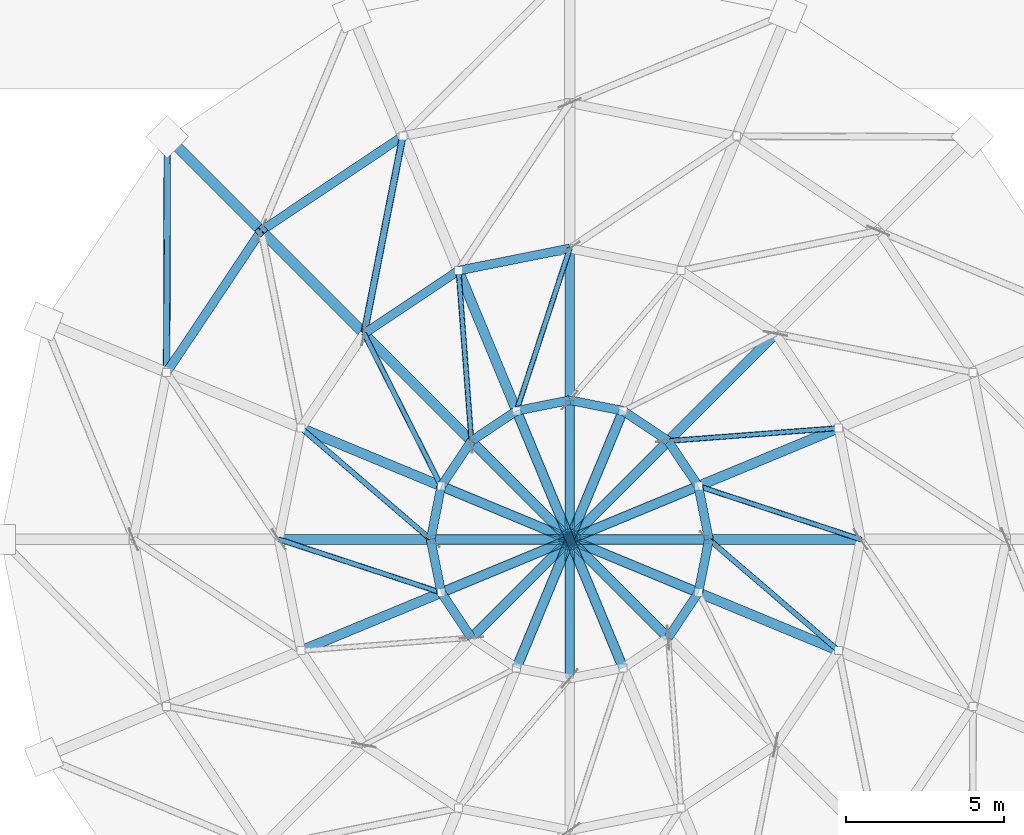
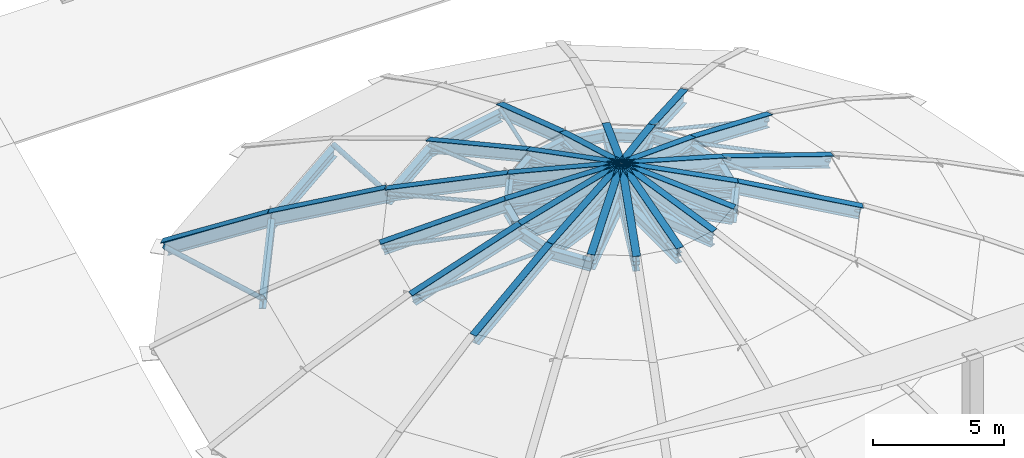
# One storey, part 2 of 7: 39 members, 24 beams.
"""IFC4 building model written with IfcOpenShell, lengths in metres."""

import ifcopenshell
import ifcopenshell.guid

model = None  # the IFC model being written
_history = None  # IfcOwnerHistory: only IFC2X3 demands one
_inside = {}  # id of a spatial element -> (the spatial element, [elements in it])
_under = {}  # id of a project, library or spatial element -> (it, [spatial elements below it])
_declared = {}  # id of a project -> (the project, [libraries it declares])
_typed = {}  # id of a type object -> (the type object, [elements of that type])
_made_of = {}  # id of a material, layer set ... -> (it, [elements and type objects made of it])


def new_model(schema):
    """Start an empty IFC model of exactly this schema.

    Asked for "IFC4X3", IfcOpenShell would pick the latest addendum, in which some entities
    have other attributes; the version numbers below select the first issue.
    IFC2X3 requires an IfcOwnerHistory on every rooted entity: one is made here for all.
    """
    global model, _history
    if schema == "IFC4X3":
        model = ifcopenshell.file(schema_version=(4, 3, 0, 0))
    else:
        model = ifcopenshell.file(schema=schema)
    _inside.clear()
    _under.clear()
    _declared.clear()
    _typed.clear()
    _made_of.clear()
    _history = None
    if model.schema == "IFC2X3":
        org = make("IfcOrganization", Name="unknown")
        user = make(
            "IfcPersonAndOrganization",
            ThePerson=make("IfcPerson", FamilyName="unknown"),
            TheOrganization=org,
        )
        app = make(
            "IfcApplication",
            ApplicationDeveloper=org,
            Version="unknown",
            ApplicationFullName="unknown",
            ApplicationIdentifier="unknown",
        )
        _history = make(
            "IfcOwnerHistory",
            OwningUser=user,
            OwningApplication=app,
            ChangeAction="ADDED",
            CreationDate=0,
        )
    return model


def make(cls, **values):
    """One entity of the class cls with the attributes given. An attribute that is None is left unset."""
    return model.create_entity(
        cls, **{name: value for name, value in values.items() if value is not None}
    )


def rooted(cls, **values):
    """An entity with a GlobalId (a new one), such as an element, a storey or a relation."""
    return make(cls, GlobalId=ifcopenshell.guid.new(), OwnerHistory=_history, **values)


def si_unit(unit_type, name, prefix=None):
    """IfcSIUnit, for example si_unit("LENGTHUNIT", "METRE", prefix="MILLI")."""
    return make("IfcSIUnit", UnitType=unit_type, Prefix=prefix, Name=name)


def assignment(units):
    """IfcUnitAssignment: the units of a project."""
    return None if units is None else make("IfcUnitAssignment", Units=units)


def point(xyz):
    """IfcCartesianPoint."""
    return None if xyz is None else make("IfcCartesianPoint", Coordinates=xyz)


def direction(xyz):
    """IfcDirection."""
    return None if xyz is None else make("IfcDirection", DirectionRatios=xyz)


def frame(location, z_axis=None, x_axis=None):
    """IfcAxis2Placement3D, a coordinate frame: its origin and axes. An axis left out is left unset."""
    return make(
        "IfcAxis2Placement3D",
        Location=point(location),
        Axis=direction(z_axis),
        RefDirection=direction(x_axis),
    )


def frame_2d(location, x_axis=None):
    """IfcAxis2Placement2D, a coordinate frame in the plane: its origin and x axis."""
    return make(
        "IfcAxis2Placement2D", Location=point(location), RefDirection=direction(x_axis)
    )


def origin():
    """The frame at (0, 0, 0) with its axes left unset."""
    return frame((0.0, 0.0, 0.0))


def origin_2d():
    """The frame at (0, 0) in the plane with its x axis left unset."""
    return frame_2d((0.0, 0.0))


def place(relative_to, where):
    """IfcLocalPlacement: puts the frame where relative to a parent placement (None: the world)."""
    return make(
        "IfcLocalPlacement", PlacementRelTo=relative_to, RelativePlacement=where
    )


def context(
    kind, dimensions, precision=None, world=None, true_north=None, identifier=None
):
    """IfcGeometricRepresentationContext, for example the 3D "Model" context."""
    return make(
        "IfcGeometricRepresentationContext",
        ContextIdentifier=identifier,
        ContextType=kind,
        CoordinateSpaceDimension=dimensions,
        Precision=precision,
        WorldCoordinateSystem=world,
        TrueNorth=true_north,
    )


def subcontext(parent, identifier, kind, view, scale=None):
    """IfcGeometricRepresentationSubContext, for example "Body" below "Model"."""
    return make(
        "IfcGeometricRepresentationSubContext",
        ContextIdentifier=identifier,
        ContextType=kind,
        ParentContext=parent,
        TargetScale=scale,
        TargetView=view,
    )


def project(units=None, contexts=None):
    """IfcProject with its units and contexts."""
    return rooted(
        "IfcProject",
        Name="project",
        RepresentationContexts=contexts,
        UnitsInContext=assignment(units),
    )


def spatial(cls, under=None, at=None, **own):
    """A site, building, storey or space (cls), placed at a placement, below another one or the project."""
    s = rooted(cls, ObjectPlacement=at, **own)
    if under is not None:
        _under.setdefault(under.id(), (under, []))[1].append(s)
    return s


def profile(cls, at=None, kind="AREA", **sizes):
    """A parametric profile (cls). Its sizes go by their IFC names, for example OverallWidth=200.0."""
    return make(cls, ProfileType=kind, Position=at, **sizes)


def hollow_rectangle(**sizes):
    """IfcRectangleHollowProfileDef."""
    return profile("IfcRectangleHollowProfileDef", **sizes)


def hollow_circle(**sizes):
    """IfcCircleHollowProfileDef."""
    return profile("IfcCircleHollowProfileDef", **sizes)


def i_section(**sizes):
    """IfcIShapeProfileDef."""
    return profile("IfcIShapeProfileDef", **sizes)


def extrude(swept, where, along, depth):
    """IfcExtrudedAreaSolid: the profile swept, set in the frame where, extruded along a direction by depth."""
    return make(
        "IfcExtrudedAreaSolid",
        SweptArea=swept,
        Position=where,
        ExtrudedDirection=direction(along),
        Depth=depth,
    )


def shape(context_of_items, identifier, shape_type, items):
    """IfcShapeRepresentation: the items that make up one representation, for example the "Body"."""
    return make(
        "IfcShapeRepresentation",
        ContextOfItems=context_of_items,
        RepresentationIdentifier=identifier,
        RepresentationType=shape_type,
        Items=items,
    )


def material(Name=None, Category=None):
    """IfcMaterial."""
    return make("IfcMaterial", Name=Name, Category=Category)


def material_profile(
    of_material, cross_section, Name=None, Category=None, Priority=None
):
    """IfcMaterialProfile: a cross section and its material."""
    return make(
        "IfcMaterialProfile",
        Name=Name,
        Material=of_material,
        Profile=cross_section,
        Priority=Priority,
        Category=Category,
    )


def profile_set(profiles, Name=None, composite=None):
    """IfcMaterialProfileSet."""
    return make(
        "IfcMaterialProfileSet",
        Name=Name,
        MaterialProfiles=profiles,
        CompositeProfile=composite,
    )


def made_of(thing, what):
    """Note that an element or type object is made of a material, layer set ...; save() writes the relation."""
    if what is not None:
        _made_of.setdefault(what.id(), (what, []))[1].append(thing)
    return thing


def type_object(cls, material=None, **own):
    """A type object (cls), such as IfcWallType, which elements share."""
    return made_of(rooted(cls, **own), material)


def element(
    cls,
    number,
    at=None,
    inside=None,
    cuts=None,
    type_object=None,
    material=None,
    context=None,
    identifier="Body",
    shape_type=None,
    held_by="IfcProductDefinitionShape",
    body=None,
    shapes=None,
    **own,
):
    """One element of the class cls, such as IfcWall. Its Tag is "e" and its number.

    at: its placement. inside: the storey or other place that contains it. cuts: it is an
    opening in that element (IfcRelVoidsElement). A single representation is given by context,
    identifier, shape_type and body (its items); several are given by shapes. held_by: the class
    of the entity that holds the representations. save() writes the other relations.
    """
    e = rooted(cls, Tag="e%d" % number, ObjectPlacement=at, **own)
    if body is not None:
        shapes = [shape(context, identifier, shape_type, body)]
    if shapes is not None:
        e.Representation = make(held_by, Representations=shapes)
    if inside is not None:
        _inside.setdefault(inside.id(), (inside, []))[1].append(e)
    if cuts is not None:
        rooted(
            "IfcRelVoidsElement", RelatingBuildingElement=cuts, RelatedOpeningElement=e
        )
    if type_object is not None:
        _typed.setdefault(type_object.id(), (type_object, []))[1].append(e)
    return made_of(e, material)


def aggregate(whole, parts):
    """IfcRelAggregates: a whole, such as a stair, and the parts it consists of."""
    return rooted("IfcRelAggregates", RelatingObject=whole, RelatedObjects=parts)


def save(model, path):
    """Write the relations noted so far, then the file.

    IfcRelAggregates (storeys below a building ...), IfcRelContainedInSpatialStructure (elements
    in a storey), IfcRelDefinesByType, IfcRelAssociatesMaterial and IfcRelDeclares: one each for
    every whole, place, type object, material and project.
    """
    for whole, parts in _under.values():
        aggregate(whole, parts)
    for where, things in _inside.values():
        rooted(
            "IfcRelContainedInSpatialStructure",
            RelatedElements=things,
            RelatingStructure=where,
        )
    for kind, things in _typed.values():
        rooted("IfcRelDefinesByType", RelatedObjects=things, RelatingType=kind)
    for what, things in _made_of.values():
        rooted("IfcRelAssociatesMaterial", RelatedObjects=things, RelatingMaterial=what)
    for by, libraries in _declared.values():
        rooted("IfcRelDeclares", RelatingContext=by, RelatedDefinitions=libraries)
    model.write(path)


model = new_model("IFC4")

# Units and contexts
model_context = context("Model", 3, precision=1e-05, world=origin(), true_north=direction((0.0, 1.0)))
body_context = subcontext(model_context, "Body", "Model", "MODEL_VIEW")
ifc_project = project(units=[si_unit("LENGTHUNIT", "METRE"), si_unit("AREAUNIT", "SQUARE_METRE"), si_unit("VOLUMEUNIT", "CUBIC_METRE"), si_unit("PLANEANGLEUNIT", "RADIAN"), si_unit("MASSUNIT", "GRAM", prefix="KILO")], contexts=[model_context])

# Site, building, storey
site_placement = place(None, origin())
site = spatial("IfcSite", under=ifc_project, at=site_placement, CompositionType="ELEMENT")
building_placement = place(site_placement, origin())
building = spatial("IfcBuilding", under=site, at=building_placement, Name="Miravela Opera House", CompositionType="ELEMENT")
storey_placement = place(building_placement, frame((0.0, 0.0, 30.760009765625)))
storey = spatial("IfcBuildingStorey", under=building, at=storey_placement, Name="RF", CompositionType="ELEMENT", Elevation=30.760009765625)

# Beams
ifc_material_1 = material(Name="Structural steel ASTM A992 Gr. 50", Category="steel")
ifc_material_profile_1 = material_profile(ifc_material_1, i_section(OverallWidth=0.280029296875, OverallDepth=0.462890625, WebThickness=0.0107421875, FlangeThickness=0.017333984375, FilletRadius=0.014892578125, at=origin_2d()), Name="W460X113")
ifc_profile_set_1 = profile_set([ifc_material_profile_1])
beam_type = type_object("IfcBeamType", Name="STR-BM-W460X113", PredefinedType="BEAM", material=ifc_profile_set_1)
for number, where, z_axis, x_axis, name in (
    (1, (71.218994140625, 68.74951171875, -2.840087890625), (-0.831470866114, -0.555568356554, 0.0), (0.555568356554, -0.831470866114, 0.0), "Auditorium Dome Steel Compression Ring R1 Seg 06"),
    (2, (66.741943359375, 65.758056640625, -2.840087890625), (-0.555568356554, -0.831470866114, 0.0), (0.831470866114, -0.555568356554, 0.0), "Auditorium Dome Steel Compression Ring R1 Seg 07"),
):
    element("IfcBeam", number, at=place(storey_placement, frame(where, z_axis=z_axis, x_axis=x_axis)), inside=storey, type_object=beam_type, Name=name, PredefinedType="BEAM", context=body_context, shape_type="SweptSolid", body=[
        extrude(i_section(OverallWidth=0.280029296875, OverallDepth=0.462890625, WebThickness=0.0107421875, FlangeThickness=0.017333984375, FilletRadius=0.014892578125, at=origin_2d()), origin(), (0.0, 0.0, 1.0), 5.384521484375),
    ])
for number, where, z_axis, x_axis, name in (
    (3, (76.5, 65.199951171875, -0.889892578125), (-0.980791984985, -0.195056612782, 0.0), (0.195056612782, -0.980791984985, 0.0), "Auditorium Dome Steel Compression Ring R2 Seg 05"),
    (4, (72.979248046875, 64.499755859375, -0.889892578125), (-0.831453395657, -0.555594502178, 0.0), (0.555594502178, -0.831453395657, 0.0), "Auditorium Dome Steel Compression Ring R2 Seg 06"),
):
    element("IfcBeam", number, at=place(storey_placement, frame(where, z_axis=z_axis, x_axis=x_axis)), inside=storey, type_object=beam_type, Name=name, PredefinedType="BEAM", context=body_context, shape_type="SweptSolid", body=[
        extrude(i_section(OverallWidth=0.280029296875, OverallDepth=0.462890625, WebThickness=0.0107421875, FlangeThickness=0.017333984375, FilletRadius=0.014892578125, at=origin_2d()), origin(), (0.0, 0.0, 1.0), 3.589599609375),
    ])
for number, where, z_axis, x_axis, name in (
    (5, (80.89990234375, 56.0, 0.7099609375), (-0.194967396175, 0.980809723865, 0.0), (-0.980809723865, -0.194967396175, 0.0), "Auditorium Dome Steel Compression Ring R3 Seg 01"),
    (6, (80.565185546875, 57.683837890625, 0.7099609375), (-0.555585913872, 0.831459134478, 0.0), (-0.831459134478, -0.555585913872, 0.0), "Auditorium Dome Steel Compression Ring R3 Seg 02"),
    (7, (79.611328125, 59.111328125, 0.7099609375), (-0.831459134478, 0.555585913872, 0.0), (-0.555585913872, -0.831459134478, 0.0), "Auditorium Dome Steel Compression Ring R3 Seg 03"),
    (8, (78.183837890625, 60.065185546875, 0.7099609375), (-0.980809723865, 0.194967396175, 0.0), (-0.194967396175, -0.980809723865, 0.0), "Auditorium Dome Steel Compression Ring R3 Seg 04"),
    (9, (76.5, 60.39990234375, 0.7099609375), (-0.980809723865, -0.194967396175, 0.0), (0.194967396175, -0.980809723865, 0.0), "Auditorium Dome Steel Compression Ring R3 Seg 05"),
    (10, (74.816162109375, 60.065185546875, 0.7099609375), (-0.831459134478, -0.555585913872, 0.0), (0.555585913872, -0.831459134478, 0.0), "Auditorium Dome Steel Compression Ring R3 Seg 06"),
    (11, (73.388671875, 59.111328125, 0.7099609375), (-0.555585913872, -0.831459134478, 0.0), (0.831459134478, -0.555585913872, 0.0), "Auditorium Dome Steel Compression Ring R3 Seg 07"),
    (12, (72.434814453125, 57.683837890625, 0.7099609375), (-0.194967396175, -0.980809723865, 0.0), (0.980809723865, -0.194967396175, 0.0), "Auditorium Dome Steel Compression Ring R3 Seg 08"),
    (13, (72.10009765625, 56.0, 0.7099609375), (0.194967396175, -0.980809723865, 0.0), (0.980809723865, 0.194967396175, 0.0), "Auditorium Dome Steel Compression Ring R3 Seg 09"),
    (14, (72.434814453125, 54.316162109375, 0.7099609375), (0.555585913872, -0.831459134478, 0.0), (0.831459134478, 0.555585913872, 0.0), "Auditorium Dome Steel Compression Ring R3 Seg 10"),
    (15, (79.611328125, 52.888671875, 0.7099609375), (0.555585913872, 0.831459134478, 0.0), (-0.831459134478, 0.555585913872, 0.0), "Auditorium Dome Steel Compression Ring R3 Seg 15"),
    (16, (80.565185546875, 54.316162109375, 0.7099609375), (0.194967396175, 0.980809723865, 0.0), (-0.980809723865, 0.194967396175, 0.0), "Auditorium Dome Steel Compression Ring R3 Seg 16"),
):
    element("IfcBeam", number, at=place(storey_placement, frame(where, z_axis=z_axis, x_axis=x_axis)), inside=storey, type_object=beam_type, Name=name, PredefinedType="BEAM", context=body_context, shape_type="SweptSolid", body=[
        extrude(i_section(OverallWidth=0.280029296875, OverallDepth=0.462890625, WebThickness=0.0107421875, FlangeThickness=0.017333984375, FilletRadius=0.014892578125, at=origin_2d()), origin(), (0.0, 0.0, 1.0), 1.716796875),
    ])
beam_1_placement = place(storey_placement, frame((80.89990234375, 56.0, 0.7099609375), z_axis=(-1.0, 0.0, 0.0), x_axis=(0.0, -1.0, 0.0)))
element("IfcBeam", 17, at=beam_1_placement, inside=storey, type_object=beam_type, Name="Auditorium Dome Crown Tie Arch 01", PredefinedType="BEAM", context=body_context, shape_type="SweptSolid", body=[
    extrude(i_section(OverallWidth=0.280029296875, OverallDepth=0.462890625, WebThickness=0.0107421875, FlangeThickness=0.017333984375, FilletRadius=0.014892578125, at=origin_2d()), origin(), (0.0, 0.0, 1.0), 8.7998046875),
])
beam_2_placement = place(storey_placement, frame((80.565185546875, 57.683837890625, 0.7099609375), z_axis=(-0.92388090622, -0.382680115921, 0.0), x_axis=(0.382680115921, -0.92388090622, 0.0)))
element("IfcBeam", 18, at=beam_2_placement, inside=storey, type_object=beam_type, Name="Auditorium Dome Crown Tie Arch 02", PredefinedType="BEAM", context=body_context, shape_type="SweptSolid", body=[
    extrude(i_section(OverallWidth=0.280029296875, OverallDepth=0.462890625, WebThickness=0.0107421875, FlangeThickness=0.017333984375, FilletRadius=0.014892578125, at=origin_2d()), origin(), (0.0, 0.0, 1.0), 8.80029296875),
])
beam_3_placement = place(storey_placement, frame((79.611328125, 59.111328125, 0.7099609375), z_axis=(-0.707106781187, -0.707106781187, 0.0), x_axis=(0.707106781187, -0.707106781187, 0.0)))
element("IfcBeam", 19, at=beam_3_placement, inside=storey, type_object=beam_type, Name="Auditorium Dome Crown Tie Arch 03", PredefinedType="BEAM", context=body_context, shape_type="SweptSolid", body=[
    extrude(i_section(OverallWidth=0.280029296875, OverallDepth=0.462890625, WebThickness=0.0107421875, FlangeThickness=0.017333984375, FilletRadius=0.014892578125, at=origin_2d()), origin(), (0.0, 0.0, 1.0), 8.800048828125),
])
beam_4_placement = place(storey_placement, frame((78.183837890625, 60.065185546875, 0.7099609375), z_axis=(-0.382680115921, -0.92388090622, 0.0), x_axis=(0.92388090622, -0.382680115921, 0.0)))
element("IfcBeam", 20, at=beam_4_placement, inside=storey, type_object=beam_type, Name="Auditorium Dome Crown Tie Arch 04", PredefinedType="BEAM", context=body_context, shape_type="SweptSolid", body=[
    extrude(i_section(OverallWidth=0.280029296875, OverallDepth=0.462890625, WebThickness=0.0107421875, FlangeThickness=0.017333984375, FilletRadius=0.014892578125, at=origin_2d()), origin(), (0.0, 0.0, 1.0), 8.80029296875),
])
beam_5_placement = place(storey_placement, frame((76.5, 60.39990234375, 0.7099609375), z_axis=(0.0, -1.0, 0.0), x_axis=(1.0, 0.0, 0.0)))
element("IfcBeam", 21, at=beam_5_placement, inside=storey, type_object=beam_type, Name="Auditorium Dome Crown Tie Arch 05", PredefinedType="BEAM", context=body_context, shape_type="SweptSolid", body=[
    extrude(i_section(OverallWidth=0.280029296875, OverallDepth=0.462890625, WebThickness=0.0107421875, FlangeThickness=0.017333984375, FilletRadius=0.014892578125, at=origin_2d()), origin(), (0.0, 0.0, 1.0), 8.7998046875),
])
beam_6_placement = place(storey_placement, frame((74.816162109375, 60.065185546875, 0.7099609375), z_axis=(0.382680115921, -0.92388090622, 0.0), x_axis=(0.92388090622, 0.382680115921, 0.0)))
element("IfcBeam", 22, at=beam_6_placement, inside=storey, type_object=beam_type, Name="Auditorium Dome Crown Tie Arch 06", PredefinedType="BEAM", context=body_context, shape_type="SweptSolid", body=[
    extrude(i_section(OverallWidth=0.280029296875, OverallDepth=0.462890625, WebThickness=0.0107421875, FlangeThickness=0.017333984375, FilletRadius=0.014892578125, at=origin_2d()), origin(), (0.0, 0.0, 1.0), 8.80029296875),
])
beam_7_placement = place(storey_placement, frame((73.388671875, 59.111328125, 0.7099609375), z_axis=(0.707106781187, -0.707106781187, 0.0), x_axis=(0.707106781187, 0.707106781187, 0.0)))
element("IfcBeam", 23, at=beam_7_placement, inside=storey, type_object=beam_type, Name="Auditorium Dome Crown Tie Arch 07", PredefinedType="BEAM", context=body_context, shape_type="SweptSolid", body=[
    extrude(i_section(OverallWidth=0.280029296875, OverallDepth=0.462890625, WebThickness=0.0107421875, FlangeThickness=0.017333984375, FilletRadius=0.014892578125, at=origin_2d()), origin(), (0.0, 0.0, 1.0), 8.800048828125),
])
beam_8_placement = place(storey_placement, frame((72.434814453125, 57.683837890625, 0.7099609375), z_axis=(0.92388090622, -0.382680115921, 0.0), x_axis=(0.382680115921, 0.92388090622, 0.0)))
element("IfcBeam", 24, at=beam_8_placement, inside=storey, type_object=beam_type, Name="Auditorium Dome Crown Tie Arch 08", PredefinedType="BEAM", context=body_context, shape_type="SweptSolid", body=[
    extrude(i_section(OverallWidth=0.280029296875, OverallDepth=0.462890625, WebThickness=0.0107421875, FlangeThickness=0.017333984375, FilletRadius=0.014892578125, at=origin_2d()), origin(), (0.0, 0.0, 1.0), 8.80029296875),
])

# Members
ifc_material_2 = material(Name="Hollow structural steel ASTM A500 Gr. C", Category="steel")
ifc_material_profile_2 = material_profile(ifc_material_2, hollow_rectangle(XDim=0.35009765625, YDim=0.35009765625, WallThickness=0.01611328125, InnerFilletRadius=0.01611328125, OuterFilletRadius=0.031982421875, at=origin_2d()), Name="HSS350X350X16")
ifc_profile_set_2 = profile_set([ifc_material_profile_2])
member_type_1 = type_object("IfcMemberType", Name="STR-MEM-CANT-POST", PredefinedType="POST", material=ifc_profile_set_2)
member_1_placement = place(storey_placement, frame((76.5, 56.0, 0.820068359375), z_axis=(0.0, 0.0, 1.0), x_axis=(1.0, 0.0, 0.0)))
element("IfcMember", 25, at=member_1_placement, inside=storey, type_object=member_type_1, Name="Auditorium Dome Crown Hub Compression Post", PredefinedType="POST", context=body_context, shape_type="SweptSolid", body=[
    extrude(hollow_rectangle(XDim=0.35009765625, YDim=0.35009765625, WallThickness=0.01611328125, InnerFilletRadius=0.01611328125, OuterFilletRadius=0.031982421875, at=origin_2d()), origin(), (0.0, 0.0, 1.0), 1.449951171875),
])
ifc_material_profile_3 = material_profile(ifc_material_2, hollow_circle(Radius=0.109619140625, WallThickness=0.010009765625, at=origin_2d()), Name="CHS219X10")
ifc_profile_set_3 = profile_set([ifc_material_profile_3])
member_type_2 = type_object("IfcMemberType", Name="STR-MEM-DOME-BR1", PredefinedType="BRACE", material=ifc_profile_set_3)
member_2_placement = place(storey_placement, frame((63.772216796875, 68.727783203125, -4.7099609375), z_axis=(-0.002805341163, -0.961444001717, 0.274986475345), x_axis=(0.999995743128, -0.002917829032, 0.0)))
element("IfcMember", 26, at=member_2_placement, inside=storey, type_object=member_type_2, Name="Auditorium Dome Schwedler Brace R1-S07", PredefinedType="BRACE", context=body_context, shape_type="SweptSolid", body=[
    extrude(hollow_circle(Radius=0.109619140625, WallThickness=0.010009765625, at=origin_2d()), origin(), (0.0, 0.0, 1.0), 7.745361328125),
])
member_3_placement = place(storey_placement, frame((71.218994140625, 68.74951171875, -2.580078125), z_axis=(-0.183973323848, -0.938245609319, 0.292999987552), x_axis=(0.981313039406, -0.192418083071, 0.0)))
element("IfcMember", 27, at=member_3_placement, inside=storey, type_object=member_type_2, Name="Auditorium Dome Schwedler Brace R2-S06", PredefinedType="BRACE", context=body_context, shape_type="SweptSolid", body=[
    extrude(hollow_circle(Radius=0.109619140625, WallThickness=0.010009765625, at=origin_2d()), origin(), (0.0, 0.0, 1.0), 6.655029296875),
])
ifc_material_profile_4 = material_profile(ifc_material_2, hollow_circle(Radius=0.084228515625, WallThickness=0.008056640625, at=origin_2d()), Name="CHS168X8")
ifc_profile_set_4 = profile_set([ifc_material_profile_4])
member_type_3 = type_object("IfcMemberType", Name="STR-MEM-DOME-BR2", PredefinedType="BRACE", material=ifc_profile_set_4)
member_4_placement = place(storey_placement, frame((85.699951171875, 56.0, -0.630126953125), z_axis=(-0.911109403692, 0.298779077466, 0.283920265871), x_axis=(-0.311602162898, -0.950212656239, 0.0)))
element("IfcMember", 28, at=member_4_placement, inside=storey, type_object=member_type_3, Name="Auditorium Dome Schwedler Brace R3-S01", PredefinedType="BRACE", context=body_context, shape_type="SweptSolid", body=[
    extrude(hollow_circle(Radius=0.084228515625, WallThickness=0.008056640625, at=origin_2d()), origin(), (0.0, 0.0, 1.0), 5.6357421875),
])
member_5_placement = place(storey_placement, frame((84.999755859375, 59.520751953125, -0.630126953125), z_axis=(-0.956094156885, -0.07264600159, 0.283912876817), x_axis=(0.075763670472, -0.997125802613, 0.0)))
element("IfcMember", 29, at=member_5_placement, inside=storey, type_object=member_type_3, Name="Auditorium Dome Schwedler Brace R3-S02", PredefinedType="BRACE", context=body_context, shape_type="SweptSolid", body=[
    extrude(hollow_circle(Radius=0.084228515625, WallThickness=0.008056640625, at=origin_2d()), origin(), (0.0, 0.0, 1.0), 5.635986328125),
])
member_6_placement = place(storey_placement, frame((76.5, 65.199951171875, -0.630126953125), z_axis=(-0.298779077466, -0.911109403692, 0.283920265871), x_axis=(0.950212656239, -0.311602162898, 0.0)))
element("IfcMember", 30, at=member_6_placement, inside=storey, type_object=member_type_3, Name="Auditorium Dome Schwedler Brace R3-S05", PredefinedType="BRACE", context=body_context, shape_type="SweptSolid", body=[
    extrude(hollow_circle(Radius=0.084228515625, WallThickness=0.008056640625, at=origin_2d()), origin(), (0.0, 0.0, 1.0), 5.6357421875),
])
member_7_placement = place(storey_placement, frame((72.979248046875, 64.499755859375, -0.630126953125), z_axis=(0.07264600159, -0.956094156885, 0.283912876817), x_axis=(0.997125802613, 0.075763670472, 0.0)))
element("IfcMember", 31, at=member_7_placement, inside=storey, type_object=member_type_3, Name="Auditorium Dome Schwedler Brace R3-S06", PredefinedType="BRACE", context=body_context, shape_type="SweptSolid", body=[
    extrude(hollow_circle(Radius=0.084228515625, WallThickness=0.008056640625, at=origin_2d()), origin(), (0.0, 0.0, 1.0), 5.635986328125),
])
member_8_placement = place(storey_placement, frame((69.99462890625, 62.50537109375, -0.630126953125), z_axis=(0.432981087363, -0.855522110488, 0.283917763539), x_axis=(0.892238962295, 0.451563543882, 0.0)))
element("IfcMember", 32, at=member_8_placement, inside=storey, type_object=member_type_3, Name="Auditorium Dome Schwedler Brace R3-S07", PredefinedType="BRACE", context=body_context, shape_type="SweptSolid", body=[
    extrude(hollow_circle(Radius=0.084228515625, WallThickness=0.008056640625, at=origin_2d()), origin(), (0.0, 0.0, 1.0), 5.6357421875),
])
member_9_placement = place(storey_placement, frame((68.000244140625, 59.520751953125, -0.630126953125), z_axis=(0.727436751397, -0.624686797588, 0.283905226503), x_axis=(0.651494257564, 0.758653565444, 0.0)))
element("IfcMember", 33, at=member_9_placement, inside=storey, type_object=member_type_3, Name="Auditorium Dome Schwedler Brace R3-S08", PredefinedType="BRACE", context=body_context, shape_type="SweptSolid", body=[
    extrude(hollow_circle(Radius=0.084228515625, WallThickness=0.008056640625, at=origin_2d()), origin(), (0.0, 0.0, 1.0), 5.635986328125),
])
member_10_placement = place(storey_placement, frame((67.300048828125, 56.0, -0.630126953125), z_axis=(0.911109403692, -0.298779077466, 0.283920265871), x_axis=(0.311602162898, 0.950212656239, 0.0)))
element("IfcMember", 34, at=member_10_placement, inside=storey, type_object=member_type_3, Name="Auditorium Dome Schwedler Brace R3-S09", PredefinedType="BRACE", context=body_context, shape_type="SweptSolid", body=[
    extrude(hollow_circle(Radius=0.084228515625, WallThickness=0.008056640625, at=origin_2d()), origin(), (0.0, 0.0, 1.0), 5.6357421875),
])
member_11_placement = place(storey_placement, frame((84.999755859375, 52.479248046875, -0.630126953125), z_axis=(-0.727436751397, 0.624686797588, 0.283905226503), x_axis=(-0.651494257564, -0.758653565444, 0.0)))
element("IfcMember", 35, at=member_11_placement, inside=storey, type_object=member_type_3, Name="Auditorium Dome Schwedler Brace R3-S16", PredefinedType="BRACE", context=body_context, shape_type="SweptSolid", body=[
    extrude(hollow_circle(Radius=0.084228515625, WallThickness=0.008056640625, at=origin_2d()), origin(), (0.0, 0.0, 1.0), 5.635986328125),
])
ifc_material_profile_5 = material_profile(ifc_material_1, i_section(OverallWidth=0.324951171875, OverallDepth=0.615966796875, WebThickness=0.013916015625, FlangeThickness=0.021484375, FilletRadius=0.01806640625, at=origin_2d()), Name="W610X174")
ifc_profile_set_5 = profile_set([ifc_material_profile_5])
member_type_4 = type_object("IfcMemberType", Name="STR-MEM-DOME-RIB1", PredefinedType="CHORD", material=ifc_profile_set_5)
member_12_placement = place(storey_placement, frame((63.772216796875, 68.727783203125, -4.7099609375), z_axis=(0.630645228708, -0.630645228708, 0.452297679649), x_axis=(0.707106781187, 0.707106781187, 0.0)))
element("IfcMember", 36, at=member_12_placement, inside=storey, type_object=member_type_4, Name="Auditorium Dome Radial Rib Chord S07-R1", PredefinedType="CHORD", context=body_context, shape_type="SweptSolid", body=[
    extrude(i_section(OverallWidth=0.324951171875, OverallDepth=0.615966796875, WebThickness=0.013916015625, FlangeThickness=0.021484375, FilletRadius=0.01806640625, at=origin_2d()), origin(), (0.0, 0.0, 1.0), 4.708984375),
])
member_13_placement = place(storey_placement, frame((66.741943359375, 65.758056640625, -2.580078125), z_axis=(0.651029003003, -0.651029003003, 0.390285119492), x_axis=(0.707106781187, 0.707106781187, 0.0)))
element("IfcMember", 37, at=member_13_placement, inside=storey, type_object=member_type_4, Name="Auditorium Dome Radial Rib Chord S07-R2", PredefinedType="CHORD", context=body_context, shape_type="SweptSolid", body=[
    extrude(i_section(OverallWidth=0.324951171875, OverallDepth=0.615966796875, WebThickness=0.013916015625, FlangeThickness=0.021484375, FilletRadius=0.01806640625, at=origin_2d()), origin(), (0.0, 0.0, 1.0), 4.996337890625),
])
ifc_material_profile_6 = material_profile(ifc_material_1, i_section(OverallWidth=0.31201171875, OverallDepth=0.54296875, WebThickness=0.0126953125, FlangeThickness=0.020263671875, FilletRadius=0.01611328125, at=origin_2d()), Name="W530X150")
ifc_profile_set_6 = profile_set([ifc_material_profile_6])
member_type_5 = type_object("IfcMemberType", Name="STR-MEM-DOME-RIB2", PredefinedType="CHORD", material=ifc_profile_set_6)
member_14_placement = place(storey_placement, frame((85.699951171875, 56.0, -0.630126953125), z_axis=(-0.948678472761, 0.0, 0.316242241517), x_axis=(0.0, -1.0, 0.0)))
element("IfcMember", 38, at=member_14_placement, inside=storey, type_object=member_type_5, Name="Auditorium Dome Radial Rib Chord S01-R3", PredefinedType="CHORD", context=body_context, shape_type="SweptSolid", body=[
    extrude(i_section(OverallWidth=0.31201171875, OverallDepth=0.54296875, WebThickness=0.0126953125, FlangeThickness=0.020263671875, FilletRadius=0.01611328125, at=origin_2d()), origin(), (0.0, 0.0, 1.0), 5.059814453125),
])
member_15_placement = place(storey_placement, frame((80.89990234375, 56.0, 0.969970703125), z_axis=(-0.961933763025, 0.0, 0.273282702624), x_axis=(0.0, -1.0, 0.0)))
element("IfcMember", 39, at=member_15_placement, inside=storey, type_object=member_type_5, Name="Auditorium Dome Radial Rib Chord S01-R4", PredefinedType="CHORD", context=body_context, shape_type="SweptSolid", body=[
    extrude(i_section(OverallWidth=0.31201171875, OverallDepth=0.54296875, WebThickness=0.0126953125, FlangeThickness=0.020263671875, FilletRadius=0.01611328125, at=origin_2d()), origin(), (0.0, 0.0, 1.0), 4.573974609375),
])
member_16_placement = place(storey_placement, frame((84.999755859375, 59.520751953125, -0.630126953125), z_axis=(-0.876459263025, -0.363052163345, 0.316247192791), x_axis=(0.382693194178, -0.923875488976, 0.0)))
element("IfcMember", 40, at=member_16_placement, inside=storey, type_object=member_type_5, Name="Auditorium Dome Radial Rib Chord S02-R3", PredefinedType="CHORD", context=body_context, shape_type="SweptSolid", body=[
    extrude(i_section(OverallWidth=0.31201171875, OverallDepth=0.54296875, WebThickness=0.0126953125, FlangeThickness=0.020263671875, FilletRadius=0.01611328125, at=origin_2d()), origin(), (0.0, 0.0, 1.0), 5.0595703125),
])
member_17_placement = place(storey_placement, frame((80.565185546875, 57.683837890625, 0.969970703125), z_axis=(-0.88871549848, -0.368114274999, 0.273270275192), x_axis=(0.382680115921, -0.92388090622, 0.0)))
element("IfcMember", 41, at=member_17_placement, inside=storey, type_object=member_type_5, Name="Auditorium Dome Radial Rib Chord S02-R4", PredefinedType="CHORD", context=body_context, shape_type="SweptSolid", body=[
    extrude(i_section(OverallWidth=0.31201171875, OverallDepth=0.54296875, WebThickness=0.0126953125, FlangeThickness=0.020263671875, FilletRadius=0.01611328125, at=origin_2d()), origin(), (0.0, 0.0, 1.0), 4.57421875),
])
member_18_placement = place(storey_placement, frame((83.00537109375, 62.50537109375, -0.630126953125), z_axis=(-0.670814923405, -0.670814923405, 0.316250971658), x_axis=(0.707106781187, -0.707106781187, 0.0)))
element("IfcMember", 42, at=member_18_placement, inside=storey, type_object=member_type_5, Name="Auditorium Dome Radial Rib Chord S03-R3", PredefinedType="CHORD", context=body_context, shape_type="SweptSolid", body=[
    extrude(i_section(OverallWidth=0.31201171875, OverallDepth=0.54296875, WebThickness=0.0126953125, FlangeThickness=0.020263671875, FilletRadius=0.01611328125, at=origin_2d()), origin(), (0.0, 0.0, 1.0), 5.0595703125),
])
for number, where, z_axis, x_axis, name in (
    (43, (79.611328125, 59.111328125, 0.969970703125), (-0.680191965964, -0.680191965964, 0.27327235293), (0.707106781187, -0.707106781187, 0.0), "Auditorium Dome Radial Rib Chord S03-R4"),
    (44, (78.183837890625, 60.065185546875, 0.969970703125), (-0.368114274999, -0.88871549848, 0.273270275192), (0.92388090622, -0.382680115921, 0.0), "Auditorium Dome Radial Rib Chord S04-R4"),
):
    element("IfcMember", number, at=place(storey_placement, frame(where, z_axis=z_axis, x_axis=x_axis)), inside=storey, type_object=member_type_5, Name=name, PredefinedType="CHORD", context=body_context, shape_type="SweptSolid", body=[
        extrude(i_section(OverallWidth=0.31201171875, OverallDepth=0.54296875, WebThickness=0.0126953125, FlangeThickness=0.020263671875, FilletRadius=0.01611328125, at=origin_2d()), origin(), (0.0, 0.0, 1.0), 4.57421875),
    ])
member_19_placement = place(storey_placement, frame((76.5, 65.199951171875, -0.630126953125), z_axis=(0.0, -0.948678472761, 0.316242241517), x_axis=(1.0, 0.0, 0.0)))
element("IfcMember", 45, at=member_19_placement, inside=storey, type_object=member_type_5, Name="Auditorium Dome Radial Rib Chord S05-R3", PredefinedType="CHORD", context=body_context, shape_type="SweptSolid", body=[
    extrude(i_section(OverallWidth=0.31201171875, OverallDepth=0.54296875, WebThickness=0.0126953125, FlangeThickness=0.020263671875, FilletRadius=0.01611328125, at=origin_2d()), origin(), (0.0, 0.0, 1.0), 5.059814453125),
])
member_20_placement = place(storey_placement, frame((76.5, 60.39990234375, 0.969970703125), z_axis=(0.0, -0.961933763025, 0.273282702624), x_axis=(1.0, 0.0, 0.0)))
element("IfcMember", 46, at=member_20_placement, inside=storey, type_object=member_type_5, Name="Auditorium Dome Radial Rib Chord S05-R4", PredefinedType="CHORD", context=body_context, shape_type="SweptSolid", body=[
    extrude(i_section(OverallWidth=0.31201171875, OverallDepth=0.54296875, WebThickness=0.0126953125, FlangeThickness=0.020263671875, FilletRadius=0.01611328125, at=origin_2d()), origin(), (0.0, 0.0, 1.0), 4.573974609375),
])
member_21_placement = place(storey_placement, frame((72.979248046875, 64.499755859375, -0.630126953125), z_axis=(0.363052163345, -0.876459263025, 0.316247192791), x_axis=(0.923875488976, 0.382693194178, 0.0)))
element("IfcMember", 47, at=member_21_placement, inside=storey, type_object=member_type_5, Name="Auditorium Dome Radial Rib Chord S06-R3", PredefinedType="CHORD", context=body_context, shape_type="SweptSolid", body=[
    extrude(i_section(OverallWidth=0.31201171875, OverallDepth=0.54296875, WebThickness=0.0126953125, FlangeThickness=0.020263671875, FilletRadius=0.01611328125, at=origin_2d()), origin(), (0.0, 0.0, 1.0), 5.0595703125),
])
member_22_placement = place(storey_placement, frame((74.816162109375, 60.065185546875, 0.969970703125), z_axis=(0.368114274999, -0.88871549848, 0.273270275192), x_axis=(0.92388090622, 0.382680115921, 0.0)))
element("IfcMember", 48, at=member_22_placement, inside=storey, type_object=member_type_5, Name="Auditorium Dome Radial Rib Chord S06-R4", PredefinedType="CHORD", context=body_context, shape_type="SweptSolid", body=[
    extrude(i_section(OverallWidth=0.31201171875, OverallDepth=0.54296875, WebThickness=0.0126953125, FlangeThickness=0.020263671875, FilletRadius=0.01611328125, at=origin_2d()), origin(), (0.0, 0.0, 1.0), 4.57421875),
])
member_23_placement = place(storey_placement, frame((69.99462890625, 62.50537109375, -0.630126953125), z_axis=(0.670814923405, -0.670814923405, 0.316250971658), x_axis=(0.707106781187, 0.707106781187, 0.0)))
element("IfcMember", 49, at=member_23_placement, inside=storey, type_object=member_type_5, Name="Auditorium Dome Radial Rib Chord S07-R3", PredefinedType="CHORD", context=body_context, shape_type="SweptSolid", body=[
    extrude(i_section(OverallWidth=0.31201171875, OverallDepth=0.54296875, WebThickness=0.0126953125, FlangeThickness=0.020263671875, FilletRadius=0.01611328125, at=origin_2d()), origin(), (0.0, 0.0, 1.0), 5.0595703125),
])
member_24_placement = place(storey_placement, frame((73.388671875, 59.111328125, 0.969970703125), z_axis=(0.680191965964, -0.680191965964, 0.27327235293), x_axis=(0.707106781187, 0.707106781187, 0.0)))
element("IfcMember", 50, at=member_24_placement, inside=storey, type_object=member_type_5, Name="Auditorium Dome Radial Rib Chord S07-R4", PredefinedType="CHORD", context=body_context, shape_type="SweptSolid", body=[
    extrude(i_section(OverallWidth=0.31201171875, OverallDepth=0.54296875, WebThickness=0.0126953125, FlangeThickness=0.020263671875, FilletRadius=0.01611328125, at=origin_2d()), origin(), (0.0, 0.0, 1.0), 4.57421875),
])
member_25_placement = place(storey_placement, frame((68.000244140625, 59.520751953125, -0.630126953125), z_axis=(0.876459263025, -0.363052163345, 0.316247192791), x_axis=(0.382693194178, 0.923875488976, 0.0)))
element("IfcMember", 51, at=member_25_placement, inside=storey, type_object=member_type_5, Name="Auditorium Dome Radial Rib Chord S08-R3", PredefinedType="CHORD", context=body_context, shape_type="SweptSolid", body=[
    extrude(i_section(OverallWidth=0.31201171875, OverallDepth=0.54296875, WebThickness=0.0126953125, FlangeThickness=0.020263671875, FilletRadius=0.01611328125, at=origin_2d()), origin(), (0.0, 0.0, 1.0), 5.0595703125),
])
member_26_placement = place(storey_placement, frame((72.434814453125, 57.683837890625, 0.969970703125), z_axis=(0.88871549848, -0.368114274999, 0.273270275192), x_axis=(0.382680115921, 0.92388090622, 0.0)))
element("IfcMember", 52, at=member_26_placement, inside=storey, type_object=member_type_5, Name="Auditorium Dome Radial Rib Chord S08-R4", PredefinedType="CHORD", context=body_context, shape_type="SweptSolid", body=[
    extrude(i_section(OverallWidth=0.31201171875, OverallDepth=0.54296875, WebThickness=0.0126953125, FlangeThickness=0.020263671875, FilletRadius=0.01611328125, at=origin_2d()), origin(), (0.0, 0.0, 1.0), 4.57421875),
])
member_27_placement = place(storey_placement, frame((67.300048828125, 56.0, -0.630126953125), z_axis=(0.948678472761, 0.0, 0.316242241517), x_axis=(0.0, 1.0, 0.0)))
element("IfcMember", 53, at=member_27_placement, inside=storey, type_object=member_type_5, Name="Auditorium Dome Radial Rib Chord S09-R3", PredefinedType="CHORD", context=body_context, shape_type="SweptSolid", body=[
    extrude(i_section(OverallWidth=0.31201171875, OverallDepth=0.54296875, WebThickness=0.0126953125, FlangeThickness=0.020263671875, FilletRadius=0.01611328125, at=origin_2d()), origin(), (0.0, 0.0, 1.0), 5.059814453125),
])
member_28_placement = place(storey_placement, frame((72.10009765625, 56.0, 0.969970703125), z_axis=(0.961933763025, 0.0, 0.273282702624), x_axis=(0.0, 1.0, 0.0)))
element("IfcMember", 54, at=member_28_placement, inside=storey, type_object=member_type_5, Name="Auditorium Dome Radial Rib Chord S09-R4", PredefinedType="CHORD", context=body_context, shape_type="SweptSolid", body=[
    extrude(i_section(OverallWidth=0.31201171875, OverallDepth=0.54296875, WebThickness=0.0126953125, FlangeThickness=0.020263671875, FilletRadius=0.01611328125, at=origin_2d()), origin(), (0.0, 0.0, 1.0), 4.573974609375),
])
member_29_placement = place(storey_placement, frame((68.000244140625, 52.479248046875, -0.630126953125), z_axis=(0.876459263025, 0.363052163345, 0.316247192791), x_axis=(-0.382693194178, 0.923875488976, 0.0)))
element("IfcMember", 55, at=member_29_placement, inside=storey, type_object=member_type_5, Name="Auditorium Dome Radial Rib Chord S10-R3", PredefinedType="CHORD", context=body_context, shape_type="SweptSolid", body=[
    extrude(i_section(OverallWidth=0.31201171875, OverallDepth=0.54296875, WebThickness=0.0126953125, FlangeThickness=0.020263671875, FilletRadius=0.01611328125, at=origin_2d()), origin(), (0.0, 0.0, 1.0), 5.0595703125),
])
for number, where, z_axis, x_axis, name in (
    (56, (72.434814453125, 54.316162109375, 0.969970703125), (0.88871549848, 0.368114274999, 0.273270275192), (-0.382680115921, 0.92388090622, 0.0), "Auditorium Dome Radial Rib Chord S10-R4"),
    (57, (73.388671875, 52.888671875, 0.969970703125), (0.680191965964, 0.680191965964, 0.27327235293), (-0.707106781187, 0.707106781187, 0.0), "Auditorium Dome Radial Rib Chord S11-R4"),
    (58, (74.816162109375, 51.934814453125, 0.969970703125), (0.368114274999, 0.88871549848, 0.273270275192), (-0.92388090622, 0.382680115921, 0.0), "Auditorium Dome Radial Rib Chord S12-R4"),
):
    element("IfcMember", number, at=place(storey_placement, frame(where, z_axis=z_axis, x_axis=x_axis)), inside=storey, type_object=member_type_5, Name=name, PredefinedType="CHORD", context=body_context, shape_type="SweptSolid", body=[
        extrude(i_section(OverallWidth=0.31201171875, OverallDepth=0.54296875, WebThickness=0.0126953125, FlangeThickness=0.020263671875, FilletRadius=0.01611328125, at=origin_2d()), origin(), (0.0, 0.0, 1.0), 4.57421875),
    ])
member_30_placement = place(storey_placement, frame((76.5, 51.60009765625, 0.969970703125), z_axis=(0.0, 0.961933763025, 0.273282702624), x_axis=(-1.0, 0.0, 0.0)))
element("IfcMember", 59, at=member_30_placement, inside=storey, type_object=member_type_5, Name="Auditorium Dome Radial Rib Chord S13-R4", PredefinedType="CHORD", context=body_context, shape_type="SweptSolid", body=[
    extrude(i_section(OverallWidth=0.31201171875, OverallDepth=0.54296875, WebThickness=0.0126953125, FlangeThickness=0.020263671875, FilletRadius=0.01611328125, at=origin_2d()), origin(), (0.0, 0.0, 1.0), 4.573974609375),
])
for number, where, z_axis, x_axis, name in (
    (60, (78.183837890625, 51.934814453125, 0.969970703125), (-0.368114274999, 0.88871549848, 0.273270275192), (-0.92388090622, -0.382680115921, 0.0), "Auditorium Dome Radial Rib Chord S14-R4"),
    (61, (79.611328125, 52.888671875, 0.969970703125), (-0.680191965964, 0.680191965964, 0.27327235293), (-0.707106781187, -0.707106781187, 0.0), "Auditorium Dome Radial Rib Chord S15-R4"),
):
    element("IfcMember", number, at=place(storey_placement, frame(where, z_axis=z_axis, x_axis=x_axis)), inside=storey, type_object=member_type_5, Name=name, PredefinedType="CHORD", context=body_context, shape_type="SweptSolid", body=[
        extrude(i_section(OverallWidth=0.31201171875, OverallDepth=0.54296875, WebThickness=0.0126953125, FlangeThickness=0.020263671875, FilletRadius=0.01611328125, at=origin_2d()), origin(), (0.0, 0.0, 1.0), 4.57421875),
    ])
member_31_placement = place(storey_placement, frame((84.999755859375, 52.479248046875, -0.630126953125), z_axis=(-0.876459263025, 0.363052163345, 0.316247192791), x_axis=(-0.382693194178, -0.923875488976, 0.0)))
element("IfcMember", 62, at=member_31_placement, inside=storey, type_object=member_type_5, Name="Auditorium Dome Radial Rib Chord S16-R3", PredefinedType="CHORD", context=body_context, shape_type="SweptSolid", body=[
    extrude(i_section(OverallWidth=0.31201171875, OverallDepth=0.54296875, WebThickness=0.0126953125, FlangeThickness=0.020263671875, FilletRadius=0.01611328125, at=origin_2d()), origin(), (0.0, 0.0, 1.0), 5.0595703125),
])
member_32_placement = place(storey_placement, frame((80.565185546875, 54.316162109375, 0.969970703125), z_axis=(-0.88871549848, 0.368114274999, 0.273270275192), x_axis=(-0.382680115921, -0.92388090622, 0.0)))
element("IfcMember", 63, at=member_32_placement, inside=storey, type_object=member_type_5, Name="Auditorium Dome Radial Rib Chord S16-R4", PredefinedType="CHORD", context=body_context, shape_type="SweptSolid", body=[
    extrude(i_section(OverallWidth=0.31201171875, OverallDepth=0.54296875, WebThickness=0.0126953125, FlangeThickness=0.020263671875, FilletRadius=0.01611328125, at=origin_2d()), origin(), (0.0, 0.0, 1.0), 4.57421875),
])

save(model, "model.ifc")
